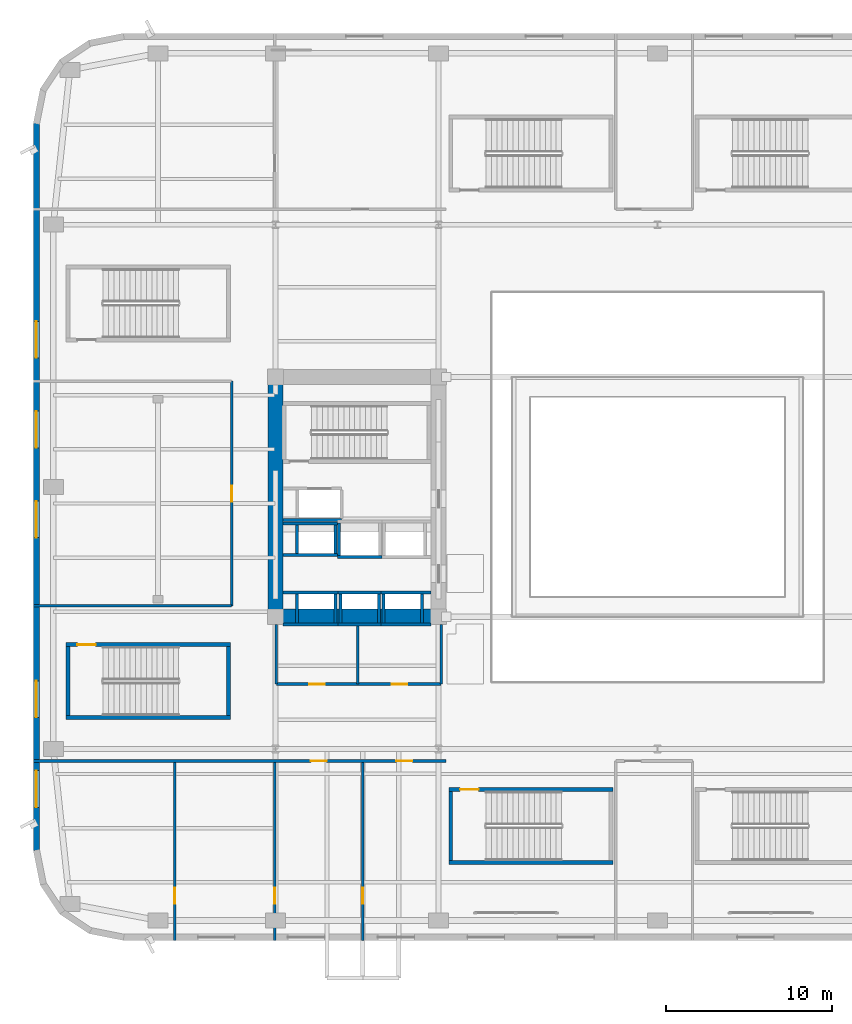
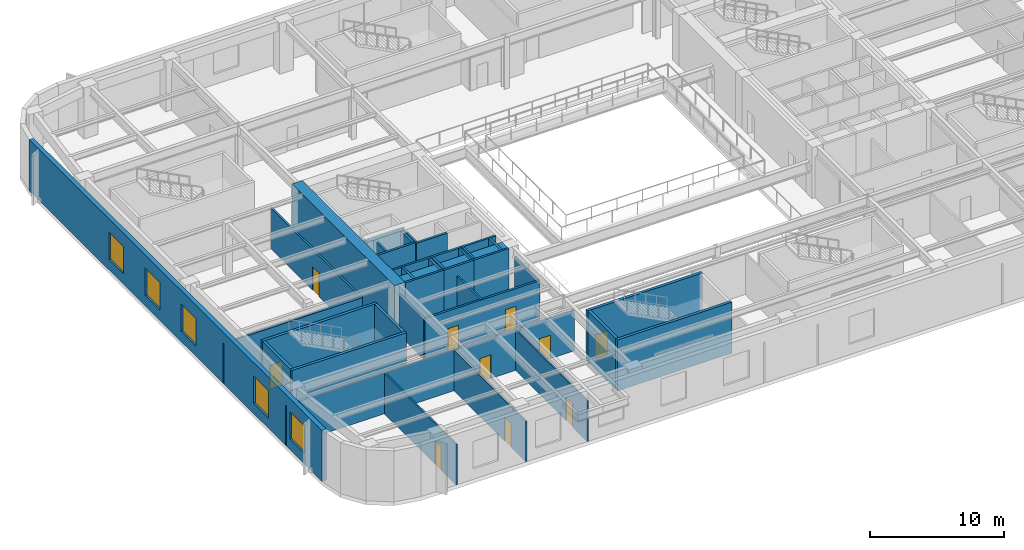
# One storey, part 7 of 24: 39 walls, 10 doors, 5 windows, 15 openings.
"""IFC4 building model written with IfcOpenShell, lengths in metres."""

from ifc_helpers import new_model, si_unit, direction, frame, frame_2d, origin, place, context, subcontext, project, spatial, rectangle, extrude, material, layer, layer_set, type_object, element, fill, save


model = new_model("IFC4")

# Units and contexts
model_context = context("Model", 3, precision=1e-05, world=origin(), true_north=direction((0.0, 1.0)))
body_context = subcontext(model_context, "Body", "Model", "MODEL_VIEW")
ifc_project = project(units=[si_unit("LENGTHUNIT", "METRE"), si_unit("AREAUNIT", "SQUARE_METRE"), si_unit("VOLUMEUNIT", "CUBIC_METRE"), si_unit("PLANEANGLEUNIT", "RADIAN"), si_unit("MASSUNIT", "GRAM", prefix="KILO")], contexts=[model_context])

# Site, building, storey
site_placement = place(None, origin())
site = spatial("IfcSite", under=ifc_project, at=site_placement, CompositionType="ELEMENT")
building_placement = place(site_placement, origin())
building = spatial("IfcBuilding", under=site, at=building_placement, Name="Kolvaren Arena Tower", CompositionType="ELEMENT")
storey_placement = place(building_placement, frame((0.0, 0.0, 23.0)))
storey = spatial("IfcBuildingStorey", under=building, at=storey_placement, Name="L04", CompositionType="ELEMENT", Elevation=23.0)

# Wall, opening, door
ifc_material_1 = material(Name="Gypsum board acoustic assembly", Category="gypsum")
ifc_layer_1 = layer(ifc_material_1, 0.159912109375)
ifc_layer_set_1 = layer_set([ifc_layer_1], Name="Gypsum board acoustic assembly")
wall_type_1 = type_object("IfcWallType", Name="CORR-160", PredefinedType="PARTITIONING", material=ifc_layer_set_1)
wall_1_placement = place(storey_placement, frame((11.919921875, 20.10009765625, 0.0), z_axis=(0.0, 0.0, 1.0), x_axis=(0.0, 1.0, 0.0)))
wall_1 = element("IfcWall", 1, at=wall_1_placement, inside=storey, type_object=wall_type_1, Name="Interior Partition Wall (L04)", PredefinedType="PARTITIONING", context=body_context, shape_type="SweptSolid", body=[
    extrude(rectangle(XDim=13.5, YDim=0.159912109375, at=frame_2d((6.75, 0.0))), origin(), (0.0, 0.0, 1.0), 3.7099609375),
])
opening_1_placement = place(wall_1_placement, frame((6.27001953125, 0.0, 0.0)))
opening_1 = element("IfcOpeningElement", 2, at=opening_1_placement, cuts=wall_1, Name="Opening D05", PredefinedType="OPENING", context=body_context, shape_type="SweptSolid", body=[
    extrude(rectangle(XDim=0.949951171875, YDim=2.14990234375, at=frame_2d((0.47509765625, 1.074951171875))), frame((0.0, 0.08984375, 0.0), z_axis=(0.0, -1.0, 0.0), x_axis=(1.0, 0.0, 0.0)), (0.0, 0.0, 1.0), 0.179931640625),
])
ifc_material_2 = material(Name="Solid-core oak acoustic office door", Category="wood")
door_type_1 = type_object("IfcDoorType", Name="DOOR-OF-095", OperationType="NOTDEFINED", PredefinedType="DOOR", material=ifc_material_2)
door_1_placement = place(opening_1_placement, origin())
door_1 = element("IfcDoor", 3, at=door_1_placement, inside=storey, type_object=door_type_1, Name="Grand Banquet Ballroom Door (L04)", OperationType="SINGLE_SWING_LEFT", OverallHeight=2.14990234375, OverallWidth=0.949951171875, PredefinedType="DOOR", context=body_context, shape_type="SweptSolid", body=[
    extrude(rectangle(XDim=0.949951171875, YDim=2.14990234375, at=frame_2d((0.47509765625, 1.074951171875))), frame((0.0, 0.02490234375, 0.0), z_axis=(0.0, -1.0, 0.0), x_axis=(1.0, 0.0, 0.0)), (0.0, 0.0, 1.0), 0.050048828125),
])
fill(opening_1, door_1)

# Wall
wall_2_placement = place(storey_placement, frame((0.0, 20.10009765625, 0.0), z_axis=(0.0, 0.0, 1.0), x_axis=(1.0, 0.0, 0.0)))
element("IfcWall", 4, at=wall_2_placement, inside=storey, type_object=wall_type_1, Name="Interior Partition Wall (L04)", PredefinedType="PARTITIONING", context=body_context, shape_type="SweptSolid", body=[
    extrude(rectangle(XDim=11.919921875, YDim=0.159912109375, at=frame_2d((5.9599609375, 0.0))), origin(), (0.0, 0.0, 1.0), 3.7099609375),
])

# Wall, openings, doors
wall_3_placement = place(storey_placement, frame((0.0, 10.780029296875, 0.0), z_axis=(0.0, 0.0, 1.0), x_axis=(1.0, 0.0, 0.0)))
wall_3 = element("IfcWall", 5, at=wall_3_placement, inside=storey, type_object=wall_type_1, Name="Interior Partition Wall (L04)", PredefinedType="PARTITIONING", context=body_context, shape_type="SweptSolid", body=[
    extrude(rectangle(XDim=24.800048828125, YDim=0.159912109375, at=frame_2d((12.39990234375, 0.0))), origin(), (0.0, 0.0, 1.0), 3.7099609375),
])
opening_2_placement = place(wall_3_placement, frame((16.669921875, 0.0, 0.0)))
opening_2 = element("IfcOpeningElement", 6, at=opening_2_placement, cuts=wall_3, Name="Opening D05", PredefinedType="OPENING", context=body_context, shape_type="SweptSolid", body=[
    extrude(rectangle(XDim=0.949951171875, YDim=2.14990234375, at=frame_2d((0.47509765625, 1.074951171875))), frame((0.0, 0.08984375, 0.0), z_axis=(0.0, -1.0, 0.0), x_axis=(1.0, 0.0, 0.0)), (0.0, 0.0, 1.0), 0.179931640625),
])
opening_3_placement = place(wall_3_placement, frame((21.820068359375, 0.0, 0.0)))
opening_3 = element("IfcOpeningElement", 7, at=opening_3_placement, cuts=wall_3, Name="Opening D05", PredefinedType="OPENING", context=body_context, shape_type="SweptSolid", body=[
    extrude(rectangle(XDim=0.949951171875, YDim=2.14990234375, at=frame_2d((0.47509765625, 1.074951171875))), frame((0.0, 0.08984375, 0.0), z_axis=(0.0, -1.0, 0.0), x_axis=(1.0, 0.0, 0.0)), (0.0, 0.0, 1.0), 0.179931640625),
])
door_2_placement = place(opening_2_placement, origin())
door_2 = element("IfcDoor", 8, at=door_2_placement, inside=storey, type_object=door_type_1, Name="Arena Retail Pavilion Door (L04)", OperationType="SINGLE_SWING_LEFT", OverallHeight=2.14990234375, OverallWidth=0.949951171875, PredefinedType="DOOR", context=body_context, shape_type="SweptSolid", body=[
    extrude(rectangle(XDim=0.949951171875, YDim=2.14990234375, at=frame_2d((0.47509765625, 1.074951171875))), frame((0.0, 0.02490234375, 0.0), z_axis=(0.0, -1.0, 0.0), x_axis=(1.0, 0.0, 0.0)), (0.0, 0.0, 1.0), 0.050048828125),
])
fill(opening_2, door_2)
door_3_placement = place(opening_3_placement, origin())
door_3 = element("IfcDoor", 9, at=door_3_placement, inside=storey, type_object=door_type_1, Name="Guest Services Studio Door (L04)", OperationType="SINGLE_SWING_RIGHT", OverallHeight=2.14990234375, OverallWidth=0.949951171875, PredefinedType="DOOR", context=body_context, shape_type="SweptSolid", body=[
    extrude(rectangle(XDim=0.949951171875, YDim=2.14990234375, at=frame_2d((0.47509765625, 1.074951171875))), frame((0.0, 0.02490234375, 0.0), z_axis=(0.0, -1.0, 0.0), x_axis=(1.0, 0.0, 0.0)), (0.0, 0.0, 1.0), 0.050048828125),
])
fill(opening_3, door_3)

# Walls
ifc_material_3 = material(Name="Concrete 80 MPa", Category="concrete")
ifc_layer_2 = layer(ifc_material_3, 0.89990234375)
ifc_layer_set_2 = layer_set([ifc_layer_2], Name="Concrete 80 MPa")
wall_type_2 = type_object("IfcWallType", Name="CWALL-900", PredefinedType="SHEAR", material=ifc_layer_set_2)
wall_4_placement = place(storey_placement, frame((14.550048828125, 19.0, -0.35009765625), z_axis=(0.0, 0.0, 1.0), x_axis=(0.0, 1.0, 0.0)))
element("IfcWall", 10, at=wall_4_placement, inside=storey, type_object=wall_type_2, Name="Core Shear Wall WC-WEST (L04)", PredefinedType="SHEAR", context=body_context, shape_type="SweptSolid", body=[
    extrude(rectangle(XDim=15.300048828125, YDim=0.89990234375, at=frame_2d((7.64990234375, 0.0))), origin(), (0.0, 0.0, 1.0), 5.0),
])
wall_5_placement = place(storey_placement, frame((15.0, 19.449951171875, -0.35009765625), z_axis=(0.0, 0.0, 1.0), x_axis=(1.0, 0.0, 0.0)))
element("IfcWall", 11, at=wall_5_placement, inside=storey, type_object=wall_type_2, Name="Core Shear Wall WC-SOUTH (L04)", PredefinedType="SHEAR", context=body_context, shape_type="SweptSolid", body=[
    extrude(rectangle(XDim=8.89990234375, YDim=0.89990234375, at=frame_2d((4.449951171875, 0.0))), origin(), (0.0, 0.0, 1.0), 5.0),
])

# Wall, openings, windows
ifc_material_4 = material(Name="Precast concrete C50/60", Category="concrete")
ifc_layer_3 = layer(ifc_material_4, 0.3798828125)
ifc_layer_set_3 = layer_set([ifc_layer_3], Name="Precast concrete C50/60")
wall_type_3 = type_object("IfcWallType", Name="EXT-ARENA", PredefinedType="SOLIDWALL", material=ifc_layer_set_3)
wall_6_placement = place(storey_placement, frame((0.18994140625, 5.39990234375, 0.0), z_axis=(0.0, 0.0, 1.0), x_axis=(0.0, 1.0, 0.0)))
wall_6 = element("IfcWall", 12, at=wall_6_placement, inside=storey, type_object=wall_type_3, Name="Exterior Precast Masonry-Frame Wall (L04)", PredefinedType="SOLIDWALL", context=body_context, shape_type="SweptSolid", body=[
    extrude(rectangle(XDim=43.7001953125, YDim=0.3798828125, at=frame_2d((21.85009765625, 0.0))), origin(), (0.0, 0.0, 1.0), 4.64990234375),
])
opening_4_placement = place(wall_6_placement, frame((2.60009765625, 0.0, 0.949951171875)))
opening_4 = element("IfcOpeningElement", 13, at=opening_4_placement, cuts=wall_6, Name="Opening W07", PredefinedType="OPENING", context=body_context, shape_type="SweptSolid", body=[
    extrude(rectangle(XDim=2.199951171875, YDim=2.5, at=frame_2d((1.10009765625, 1.25))), frame((0.0, 0.199951171875, 0.0), z_axis=(0.0, -1.0, 0.0), x_axis=(1.0, 0.0, 0.0)), (0.0, 0.0, 1.0), 0.39990234375),
])
opening_5_placement = place(wall_6_placement, frame((8.0, 0.0, 0.949951171875)))
opening_5 = element("IfcOpeningElement", 14, at=opening_5_placement, cuts=wall_6, Name="Opening W07", PredefinedType="OPENING", context=body_context, shape_type="SweptSolid", body=[
    extrude(rectangle(XDim=2.199951171875, YDim=2.5, at=frame_2d((1.10009765625, 1.25))), frame((0.0, 0.199951171875, 0.0), z_axis=(0.0, -1.0, 0.0), x_axis=(1.0, 0.0, 0.0)), (0.0, 0.0, 1.0), 0.39990234375),
])
opening_6_placement = place(wall_6_placement, frame((18.800048828125, 0.0, 0.949951171875)))
opening_6 = element("IfcOpeningElement", 15, at=opening_6_placement, cuts=wall_6, Name="Opening W07", PredefinedType="OPENING", context=body_context, shape_type="SweptSolid", body=[
    extrude(rectangle(XDim=2.199951171875, YDim=2.5, at=frame_2d((1.10009765625, 1.25))), frame((0.0, 0.199951171875, 0.0), z_axis=(0.0, -1.0, 0.0), x_axis=(1.0, 0.0, 0.0)), (0.0, 0.0, 1.0), 0.39990234375),
])
opening_7_placement = place(wall_6_placement, frame((24.199951171875, 0.0, 0.949951171875)))
opening_7 = element("IfcOpeningElement", 16, at=opening_7_placement, cuts=wall_6, Name="Opening W07", PredefinedType="OPENING", context=body_context, shape_type="SweptSolid", body=[
    extrude(rectangle(XDim=2.199951171875, YDim=2.5, at=frame_2d((1.10009765625, 1.25))), frame((0.0, 0.199951171875, 0.0), z_axis=(0.0, -1.0, 0.0), x_axis=(1.0, 0.0, 0.0)), (0.0, 0.0, 1.0), 0.39990234375),
])
opening_8_placement = place(wall_6_placement, frame((29.60009765625, 0.0, 0.949951171875)))
opening_8 = element("IfcOpeningElement", 17, at=opening_8_placement, cuts=wall_6, Name="Opening W07", PredefinedType="OPENING", context=body_context, shape_type="SweptSolid", body=[
    extrude(rectangle(XDim=2.199951171875, YDim=2.5, at=frame_2d((1.10009765625, 1.25))), frame((0.0, 0.199951171875, 0.0), z_axis=(0.0, -1.0, 0.0), x_axis=(1.0, 0.0, 0.0)), (0.0, 0.0, 1.0), 0.39990234375),
])
ifc_material_5 = material(Name="Triple-glazed arena concourse window", Category="glass")
window_type = type_object("IfcWindowType", Name="WIN-POD-A", PartitioningType="DOUBLE_PANEL_VERTICAL", PredefinedType="WINDOW", material=ifc_material_5)
window_1_placement = place(opening_4_placement, origin())
window_1 = element("IfcWindow", 18, at=window_1_placement, inside=storey, type_object=window_type, Name="Punched Precast-Pier Window (L04)", OverallHeight=2.5, OverallWidth=2.199951171875, PartitioningType="DOUBLE_PANEL_VERTICAL", PredefinedType="WINDOW", context=body_context, shape_type="SweptSolid", body=[
    extrude(rectangle(XDim=2.199951171875, YDim=2.5, at=frame_2d((1.10009765625, 1.25))), frame((0.0, 0.030029296875, 0.0), z_axis=(0.0, -1.0, 0.0), x_axis=(1.0, 0.0, 0.0)), (0.0, 0.0, 1.0), 0.06005859375),
])
fill(opening_4, window_1)
window_2_placement = place(opening_5_placement, origin())
window_2 = element("IfcWindow", 19, at=window_2_placement, inside=storey, type_object=window_type, Name="Punched Precast-Pier Window (L04)", OverallHeight=2.5, OverallWidth=2.199951171875, PartitioningType="DOUBLE_PANEL_VERTICAL", PredefinedType="WINDOW", context=body_context, shape_type="SweptSolid", body=[
    extrude(rectangle(XDim=2.199951171875, YDim=2.5, at=frame_2d((1.10009765625, 1.25))), frame((0.0, 0.030029296875, 0.0), z_axis=(0.0, -1.0, 0.0), x_axis=(1.0, 0.0, 0.0)), (0.0, 0.0, 1.0), 0.06005859375),
])
fill(opening_5, window_2)
window_3_placement = place(opening_6_placement, origin())
window_3 = element("IfcWindow", 20, at=window_3_placement, inside=storey, type_object=window_type, Name="Punched Precast-Pier Window (L04)", OverallHeight=2.5, OverallWidth=2.199951171875, PartitioningType="DOUBLE_PANEL_VERTICAL", PredefinedType="WINDOW", context=body_context, shape_type="SweptSolid", body=[
    extrude(rectangle(XDim=2.199951171875, YDim=2.5, at=frame_2d((1.10009765625, 1.25))), frame((0.0, 0.030029296875, 0.0), z_axis=(0.0, -1.0, 0.0), x_axis=(1.0, 0.0, 0.0)), (0.0, 0.0, 1.0), 0.06005859375),
])
fill(opening_6, window_3)
window_4_placement = place(opening_7_placement, origin())
window_4 = element("IfcWindow", 21, at=window_4_placement, inside=storey, type_object=window_type, Name="Punched Precast-Pier Window (L04)", OverallHeight=2.5, OverallWidth=2.199951171875, PartitioningType="DOUBLE_PANEL_VERTICAL", PredefinedType="WINDOW", context=body_context, shape_type="SweptSolid", body=[
    extrude(rectangle(XDim=2.199951171875, YDim=2.5, at=frame_2d((1.10009765625, 1.25))), frame((0.0, 0.030029296875, 0.0), z_axis=(0.0, -1.0, 0.0), x_axis=(1.0, 0.0, 0.0)), (0.0, 0.0, 1.0), 0.06005859375),
])
fill(opening_7, window_4)
window_5_placement = place(opening_8_placement, origin())
window_5 = element("IfcWindow", 22, at=window_5_placement, inside=storey, type_object=window_type, Name="Punched Precast-Pier Window (L04)", OverallHeight=2.5, OverallWidth=2.199951171875, PartitioningType="DOUBLE_PANEL_VERTICAL", PredefinedType="WINDOW", context=body_context, shape_type="SweptSolid", body=[
    extrude(rectangle(XDim=2.199951171875, YDim=2.5, at=frame_2d((1.10009765625, 1.25))), frame((0.0, 0.030029296875, 0.0), z_axis=(0.0, -1.0, 0.0), x_axis=(1.0, 0.0, 0.0)), (0.0, 0.0, 1.0), 0.06005859375),
])
fill(opening_8, window_5)

# Wall, opening, door
ifc_material_6 = material(Name="Gypsum board partition assembly", Category="gypsum")
ifc_layer_4 = layer(ifc_material_6, 0.135009765625)
ifc_layer_set_4 = layer_set([ifc_layer_4], Name="Gypsum board partition assembly")
wall_type_4 = type_object("IfcWallType", Name="PART-135", PredefinedType="PARTITIONING", material=ifc_layer_set_4)
wall_7_placement = place(storey_placement, frame((8.5, 0.0, 0.0), z_axis=(0.0, 0.0, 1.0), x_axis=(0.0, 1.0, 0.0)))
wall_7 = element("IfcWall", 23, at=wall_7_placement, inside=storey, type_object=wall_type_4, Name="Interior Partition Wall (L04)", PredefinedType="PARTITIONING", context=body_context, shape_type="SweptSolid", body=[
    extrude(rectangle(XDim=10.68994140625, YDim=0.135009765625, at=frame_2d((5.344970703125, 0.0))), origin(), (0.0, 0.0, 1.0), 3.7099609375),
])
opening_9_placement = place(wall_7_placement, frame((2.199951171875, 0.0, 0.0)))
opening_9 = element("IfcOpeningElement", 24, at=opening_9_placement, cuts=wall_7, Name="Opening D05", PredefinedType="OPENING", context=body_context, shape_type="SweptSolid", body=[
    extrude(rectangle(XDim=0.949951171875, YDim=2.14990234375, at=frame_2d((0.47509765625, 1.074951171875))), frame((0.0, 0.077392578125, 0.0), z_axis=(0.0, -1.0, 0.0), x_axis=(1.0, 0.0, 0.0)), (0.0, 0.0, 1.0), 0.155029296875),
])
door_4_placement = place(opening_9_placement, origin())
door_4 = element("IfcDoor", 25, at=door_4_placement, inside=storey, type_object=door_type_1, Name="Breakout Pantry and Kitchen Connecting Door (L04)", OperationType="SINGLE_SWING_LEFT", OverallHeight=2.14990234375, OverallWidth=0.949951171875, PredefinedType="DOOR", context=body_context, shape_type="SweptSolid", body=[
    extrude(rectangle(XDim=0.949951171875, YDim=2.14990234375, at=frame_2d((0.47509765625, 1.074951171875))), frame((0.0, 0.02490234375, 0.0), z_axis=(0.0, -1.0, 0.0), x_axis=(1.0, 0.0, 0.0)), (0.0, 0.0, 1.0), 0.050048828125),
])
fill(opening_9, door_4)

wall_8_placement = place(storey_placement, frame((14.5, 0.0, 0.0), z_axis=(0.0, 0.0, 1.0), x_axis=(0.0, 1.0, 0.0)))
wall_8 = element("IfcWall", 26, at=wall_8_placement, inside=storey, type_object=wall_type_4, Name="Interior Partition Wall (L04)", PredefinedType="PARTITIONING", context=body_context, shape_type="SweptSolid", body=[
    extrude(rectangle(XDim=10.68994140625, YDim=0.135009765625, at=frame_2d((5.344970703125, 0.0))), origin(), (0.0, 0.0, 1.0), 3.7099609375),
])
opening_10_placement = place(wall_8_placement, frame((2.199951171875, 0.0, 0.0)))
opening_10 = element("IfcOpeningElement", 27, at=opening_10_placement, cuts=wall_8, Name="Opening D05", PredefinedType="OPENING", context=body_context, shape_type="SweptSolid", body=[
    extrude(rectangle(XDim=0.949951171875, YDim=2.14990234375, at=frame_2d((0.47509765625, 1.074951171875))), frame((0.0, 0.077392578125, 0.0), z_axis=(0.0, -1.0, 0.0), x_axis=(1.0, 0.0, 0.0)), (0.0, 0.0, 1.0), 0.155029296875),
])
door_5_placement = place(opening_10_placement, origin())
door_5 = element("IfcDoor", 28, at=door_5_placement, inside=storey, type_object=door_type_1, Name="South-West Concession Hall Connecting Door (L04)", OperationType="SINGLE_SWING_LEFT", OverallHeight=2.14990234375, OverallWidth=0.949951171875, PredefinedType="DOOR", context=body_context, shape_type="SweptSolid", body=[
    extrude(rectangle(XDim=0.949951171875, YDim=2.14990234375, at=frame_2d((0.47509765625, 1.074951171875))), frame((0.0, 0.02490234375, 0.0), z_axis=(0.0, -1.0, 0.0), x_axis=(1.0, 0.0, 0.0)), (0.0, 0.0, 1.0), 0.050048828125),
])
fill(opening_10, door_5)

wall_9_placement = place(storey_placement, frame((19.800048828125, 0.0, 0.0), z_axis=(0.0, 0.0, 1.0), x_axis=(0.0, 1.0, 0.0)))
wall_9 = element("IfcWall", 29, at=wall_9_placement, inside=storey, type_object=wall_type_4, Name="Interior Partition Wall (L04)", PredefinedType="PARTITIONING", context=body_context, shape_type="SweptSolid", body=[
    extrude(rectangle(XDim=10.68994140625, YDim=0.135009765625, at=frame_2d((5.344970703125, 0.0))), origin(), (0.0, 0.0, 1.0), 3.7099609375),
])
opening_11_placement = place(wall_9_placement, frame((2.199951171875, 0.0, 0.0)))
opening_11 = element("IfcOpeningElement", 30, at=opening_11_placement, cuts=wall_9, Name="Opening D05", PredefinedType="OPENING", context=body_context, shape_type="SweptSolid", body=[
    extrude(rectangle(XDim=0.949951171875, YDim=2.14990234375, at=frame_2d((0.47509765625, 1.074951171875))), frame((0.0, 0.077392578125, 0.0), z_axis=(0.0, -1.0, 0.0), x_axis=(1.0, 0.0, 0.0)), (0.0, 0.0, 1.0), 0.155029296875),
])
door_6_placement = place(opening_11_placement, origin())
door_6 = element("IfcDoor", 31, at=door_6_placement, inside=storey, type_object=door_type_1, Name="Arena Retail Pavilion Connecting Door (L04)", OperationType="SINGLE_SWING_LEFT", OverallHeight=2.14990234375, OverallWidth=0.949951171875, PredefinedType="DOOR", context=body_context, shape_type="SweptSolid", body=[
    extrude(rectangle(XDim=0.949951171875, YDim=2.14990234375, at=frame_2d((0.47509765625, 1.074951171875))), frame((0.0, 0.02490234375, 0.0), z_axis=(0.0, -1.0, 0.0), x_axis=(1.0, 0.0, 0.0)), (0.0, 0.0, 1.0), 0.050048828125),
])
fill(opening_11, door_6)

ifc_material_7 = material(Name="Concrete 45 MPa", Category="concrete")
ifc_layer_5 = layer(ifc_material_7, 0.25)
ifc_layer_set_5 = layer_set([ifc_layer_5], Name="Concrete 45 MPa")
wall_type_5 = type_object("IfcWallType", Name="SHAFT-250", PredefinedType="SOLIDWALL", material=ifc_layer_set_5)
wall_10_placement = place(storey_placement, frame((1.9599609375, 17.77001953125, 0.0), z_axis=(0.0, 0.0, 1.0), x_axis=(1.0, 0.0, 0.0)))
wall_10 = element("IfcWall", 32, at=wall_10_placement, inside=storey, type_object=wall_type_5, Name="Stair ST-A1 Rated Enclosure Wall (L04)", PredefinedType="SOLIDWALL", context=body_context, shape_type="SweptSolid", body=[
    extrude(rectangle(XDim=9.880126953125, YDim=0.239990234375, at=frame_2d((4.93994140625, 0.0))), origin(), (0.0, 0.0, 1.0), 4.64990234375),
])
opening_12_placement = place(wall_10_placement, frame((0.68994140625, 0.0, 0.0)))
opening_12 = element("IfcOpeningElement", 33, at=opening_12_placement, cuts=wall_10, Name="Opening D03", PredefinedType="OPENING", context=body_context, shape_type="SweptSolid", body=[
    extrude(rectangle(XDim=1.10009765625, YDim=2.14990234375, at=frame_2d((0.550048828125, 1.074951171875))), frame((0.0, 0.1298828125, 0.0), z_axis=(0.0, -1.0, 0.0), x_axis=(1.0, 0.0, 0.0)), (0.0, 0.0, 1.0), 0.260009765625),
])
ifc_material_8 = material(Name="Fire-rated steel exit stair door", Category="steel")
door_type_2 = type_object("IfcDoorType", Name="DOOR-ST-110", OperationType="NOTDEFINED", PredefinedType="DOOR", material=ifc_material_8)
door_7_placement = place(opening_12_placement, origin())
door_7 = element("IfcDoor", 34, at=door_7_placement, inside=storey, type_object=door_type_2, Name="Exit Stair ST-A1 Fire Door (L04)", OperationType="SINGLE_SWING_LEFT", OverallHeight=2.14990234375, OverallWidth=1.10009765625, PredefinedType="DOOR", context=body_context, shape_type="SweptSolid", body=[
    extrude(rectangle(XDim=1.10009765625, YDim=2.14990234375, at=frame_2d((0.550048828125, 1.074951171875))), frame((0.0, 0.02490234375, 0.0), z_axis=(0.0, -1.0, 0.0), x_axis=(1.0, 0.0, 0.0)), (0.0, 0.0, 1.0), 0.050048828125),
])
fill(opening_12, door_7)

# Walls
wall_11_placement = place(storey_placement, frame((1.9599609375, 13.3798828125, 0.0), z_axis=(0.0, 0.0, 1.0), x_axis=(1.0, 0.0, 0.0)))
element("IfcWall", 35, at=wall_11_placement, inside=storey, type_object=wall_type_5, Name="Stair ST-A1 Rear Shaft Wall (L04)", PredefinedType="SOLIDWALL", context=body_context, shape_type="SweptSolid", body=[
    extrude(rectangle(XDim=9.880126953125, YDim=0.239990234375, at=frame_2d((4.93994140625, 0.0))), origin(), (0.0, 0.0, 1.0), 4.64990234375),
])
for number, where, z_axis, x_axis, name in (
    (36, (2.080078125, 13.5, 0.0), (0.0, 0.0, 1.0), (0.0, 1.0, 0.0), "Stair ST-A1 West Shaft Wall (L04)"),
    (37, (11.719970703125, 13.5, 0.0), (0.0, 0.0, 1.0), (0.0, 1.0, 0.0), "Stair ST-A1 East Shaft Wall (L04)"),
):
    element("IfcWall", number, at=place(storey_placement, frame(where, z_axis=z_axis, x_axis=x_axis)), inside=storey, type_object=wall_type_5, Name=name, PredefinedType="SOLIDWALL", context=body_context, shape_type="SweptSolid", body=[
        extrude(rectangle(XDim=4.14990234375, YDim=0.239990234375, at=frame_2d((2.074951171875, 0.0))), origin(), (0.0, 0.0, 1.0), 4.64990234375),
    ])

# Wall, opening, door
wall_12_placement = place(storey_placement, frame((24.9599609375, 9.070068359375, 0.0), z_axis=(0.0, 0.0, 1.0), x_axis=(1.0, 0.0, 0.0)))
wall_12 = element("IfcWall", 38, at=wall_12_placement, inside=storey, type_object=wall_type_5, Name="Stair ST-A2 Rated Enclosure Wall (L04)", PredefinedType="SOLIDWALL", context=body_context, shape_type="SweptSolid", body=[
    extrude(rectangle(XDim=9.880126953125, YDim=0.239990234375, at=frame_2d((4.93994140625, 0.0))), origin(), (0.0, 0.0, 1.0), 4.64990234375),
])
opening_13_placement = place(wall_12_placement, frame((0.68994140625, 0.0, 0.0)))
opening_13 = element("IfcOpeningElement", 39, at=opening_13_placement, cuts=wall_12, Name="Opening D03", PredefinedType="OPENING", context=body_context, shape_type="SweptSolid", body=[
    extrude(rectangle(XDim=1.10009765625, YDim=2.14990234375, at=frame_2d((0.550048828125, 1.074951171875))), frame((0.0, 0.1298828125, 0.0), z_axis=(0.0, -1.0, 0.0), x_axis=(1.0, 0.0, 0.0)), (0.0, 0.0, 1.0), 0.260009765625),
])
door_8_placement = place(opening_13_placement, origin())
door_8 = element("IfcDoor", 40, at=door_8_placement, inside=storey, type_object=door_type_2, Name="Exit Stair ST-A2 Fire Door (L04)", OperationType="SINGLE_SWING_LEFT", OverallHeight=2.14990234375, OverallWidth=1.10009765625, PredefinedType="DOOR", context=body_context, shape_type="SweptSolid", body=[
    extrude(rectangle(XDim=1.10009765625, YDim=2.14990234375, at=frame_2d((0.550048828125, 1.074951171875))), frame((0.0, 0.02490234375, 0.0), z_axis=(0.0, -1.0, 0.0), x_axis=(1.0, 0.0, 0.0)), (0.0, 0.0, 1.0), 0.050048828125),
])
fill(opening_13, door_8)

# Walls
wall_13_placement = place(storey_placement, frame((24.9599609375, 4.679931640625, 0.0), z_axis=(0.0, 0.0, 1.0), x_axis=(1.0, 0.0, 0.0)))
element("IfcWall", 41, at=wall_13_placement, inside=storey, type_object=wall_type_5, Name="Stair ST-A2 Rear Shaft Wall (L04)", PredefinedType="SOLIDWALL", context=body_context, shape_type="SweptSolid", body=[
    extrude(rectangle(XDim=9.880126953125, YDim=0.239990234375, at=frame_2d((4.93994140625, 0.0))), origin(), (0.0, 0.0, 1.0), 4.64990234375),
])
wall_14_placement = place(storey_placement, frame((25.080078125, 4.800048828125, 0.0), z_axis=(0.0, 0.0, 1.0), x_axis=(0.0, 1.0, 0.0)))
element("IfcWall", 42, at=wall_14_placement, inside=storey, type_object=wall_type_5, Name="Stair ST-A2 West Shaft Wall (L04)", PredefinedType="SOLIDWALL", context=body_context, shape_type="SweptSolid", body=[
    extrude(rectangle(XDim=4.14990234375, YDim=0.239990234375, at=frame_2d((2.074951171875, 0.0))), origin(), (0.0, 0.0, 1.0), 4.64990234375),
])
for number, where, z_axis, x_axis, name in (
    (43, (15.0, 20.905029296875, 0.0), (0.0, 0.0, 1.0), (1.0, 0.0, 0.0), "Core Shaft Wall (L04)"),
    (44, (15.0, 18.9951171875, 0.0), (0.0, 0.0, 1.0), (1.0, 0.0, 0.0), "Core Shaft Wall (L04)"),
):
    element("IfcWall", number, at=place(storey_placement, frame(where, z_axis=z_axis, x_axis=x_axis)), inside=storey, type_object=wall_type_5, Name=name, PredefinedType="SOLIDWALL", context=body_context, shape_type="SweptSolid", body=[
        extrude(rectangle(XDim=3.300048828125, YDim=0.179931640625, at=frame_2d((1.64990234375, 0.0))), origin(), (0.0, 0.0, 1.0), 4.64990234375),
    ])
for number, where, z_axis, x_axis, name in (
    (45, (15.844970703125, 19.0849609375, 0.0), (0.0, 0.0, 1.0), (0.0, 1.0, 0.0), "Core Shaft Wall (L04)"),
    (46, (18.155029296875, 19.0849609375, 0.0), (0.0, 0.0, 1.0), (0.0, 1.0, 0.0), "Core Shaft Wall (L04)"),
):
    element("IfcWall", number, at=place(storey_placement, frame(where, z_axis=z_axis, x_axis=x_axis)), inside=storey, type_object=wall_type_5, Name=name, PredefinedType="SOLIDWALL", context=body_context, shape_type="SweptSolid", body=[
        extrude(rectangle(XDim=1.72998046875, YDim=0.179931640625, at=frame_2d((0.864990234375, 0.0))), origin(), (0.0, 0.0, 1.0), 4.64990234375),
    ])
for number, where, z_axis, x_axis, name in (
    (47, (18.300048828125, 20.905029296875, 0.0), (0.0, 0.0, 1.0), (1.0, 0.0, 0.0), "Core Shaft Wall (L04)"),
    (48, (18.300048828125, 18.9951171875, 0.0), (0.0, 0.0, 1.0), (1.0, 0.0, 0.0), "Core Shaft Wall (L04)"),
):
    element("IfcWall", number, at=place(storey_placement, frame(where, z_axis=z_axis, x_axis=x_axis)), inside=storey, type_object=wall_type_5, Name=name, PredefinedType="SOLIDWALL", context=body_context, shape_type="SweptSolid", body=[
        extrude(rectangle(XDim=2.599853515625, YDim=0.179931640625, at=frame_2d((1.2998046875, 0.0))), origin(), (0.0, 0.0, 1.0), 4.64990234375),
    ])
for number, where, z_axis, x_axis, name in (
    (49, (18.445068359375, 19.0849609375, 0.0), (0.0, 0.0, 1.0), (0.0, 1.0, 0.0), "Core Shaft Wall (L04)"),
    (50, (20.7548828125, 19.0849609375, 0.0), (0.0, 0.0, 1.0), (0.0, 1.0, 0.0), "Core Shaft Wall (L04)"),
):
    element("IfcWall", number, at=place(storey_placement, frame(where, z_axis=z_axis, x_axis=x_axis)), inside=storey, type_object=wall_type_5, Name=name, PredefinedType="SOLIDWALL", context=body_context, shape_type="SweptSolid", body=[
        extrude(rectangle(XDim=1.72998046875, YDim=0.179931640625, at=frame_2d((0.864990234375, 0.0))), origin(), (0.0, 0.0, 1.0), 4.64990234375),
    ])
for number, where, z_axis, x_axis, name in (
    (51, (20.89990234375, 20.905029296875, 0.0), (0.0, 0.0, 1.0), (1.0, 0.0, 0.0), "Core Shaft Wall (L04)"),
    (52, (20.89990234375, 18.9951171875, 0.0), (0.0, 0.0, 1.0), (1.0, 0.0, 0.0), "Core Shaft Wall (L04)"),
):
    element("IfcWall", number, at=place(storey_placement, frame(where, z_axis=z_axis, x_axis=x_axis)), inside=storey, type_object=wall_type_5, Name=name, PredefinedType="SOLIDWALL", context=body_context, shape_type="SweptSolid", body=[
        extrude(rectangle(XDim=3.0, YDim=0.179931640625, at=frame_2d((1.5, 0.0))), origin(), (0.0, 0.0, 1.0), 4.64990234375),
    ])
for number, where, z_axis, x_axis, name in (
    (53, (21.044921875, 19.0849609375, 0.0), (0.0, 0.0, 1.0), (0.0, 1.0, 0.0), "Core Shaft Wall (L04)"),
    (54, (23.35498046875, 19.0849609375, 0.0), (0.0, 0.0, 1.0), (0.0, 1.0, 0.0), "Core Shaft Wall (L04)"),
):
    element("IfcWall", number, at=place(storey_placement, frame(where, z_axis=z_axis, x_axis=x_axis)), inside=storey, type_object=wall_type_5, Name=name, PredefinedType="SOLIDWALL", context=body_context, shape_type="SweptSolid", body=[
        extrude(rectangle(XDim=1.72998046875, YDim=0.179931640625, at=frame_2d((0.864990234375, 0.0))), origin(), (0.0, 0.0, 1.0), 4.64990234375),
    ])
for number, where, z_axis, x_axis, name in (
    (55, (15.0, 25.054931640625, 0.0), (0.0, 0.0, 1.0), (1.0, 0.0, 0.0), "Core Shaft Wall (L04)"),
    (56, (15.0, 23.14501953125, 0.0), (0.0, 0.0, 1.0), (1.0, 0.0, 0.0), "Core Shaft Wall (L04)"),
):
    element("IfcWall", number, at=place(storey_placement, frame(where, z_axis=z_axis, x_axis=x_axis)), inside=storey, type_object=wall_type_5, Name=name, PredefinedType="SOLIDWALL", context=body_context, shape_type="SweptSolid", body=[
        extrude(rectangle(XDim=3.262451171875, YDim=0.179931640625, at=frame_2d((1.63134765625, 0.0))), origin(), (0.0, 0.0, 1.0), 4.64990234375),
    ])
for number, where, z_axis, x_axis, name in (
    (57, (15.844970703125, 23.235107421875, 0.0), (0.0, 0.0, 1.0), (0.0, 1.0, 0.0), "Core Shaft Wall (L04)"),
    (58, (18.155029296875, 23.235107421875, 0.0), (0.0, 0.0, 1.0), (0.0, 1.0, 0.0), "Core Shaft Wall (L04)"),
):
    element("IfcWall", number, at=place(storey_placement, frame(where, z_axis=z_axis, x_axis=x_axis)), inside=storey, type_object=wall_type_5, Name=name, PredefinedType="SOLIDWALL", context=body_context, shape_type="SweptSolid", body=[
        extrude(rectangle(XDim=1.72998046875, YDim=0.179931640625, at=frame_2d((0.864990234375, 0.0))), origin(), (0.0, 0.0, 1.0), 4.64990234375),
    ])
wall_15_placement = place(storey_placement, frame((18.262451171875, 23.044921875, 0.0), z_axis=(0.0, 0.0, 1.0), x_axis=(1.0, 0.0, 0.0)))
element("IfcWall", 59, at=wall_15_placement, inside=storey, type_object=wall_type_5, Name="Core Shaft Wall (L04)", PredefinedType="SOLIDWALL", context=body_context, shape_type="SweptSolid", body=[
    extrude(rectangle(XDim=2.6875, YDim=0.179931640625, at=frame_2d((1.34375, 0.0))), origin(), (0.0, 0.0, 1.0), 4.64990234375),
])
wall_16_placement = place(storey_placement, frame((18.3701171875, 23.135009765625, 0.0), z_axis=(0.0, 0.0, 1.0), x_axis=(0.0, 1.0, 0.0)))
element("IfcWall", 60, at=wall_16_placement, inside=storey, type_object=wall_type_5, Name="Core Shaft Wall (L04)", PredefinedType="SOLIDWALL", context=body_context, shape_type="SweptSolid", body=[
    extrude(rectangle(XDim=1.929931640625, YDim=0.179931640625, at=frame_2d((0.96484375, 0.0))), origin(), (0.0, 0.0, 1.0), 4.64990234375),
])
wall_17_placement = place(storey_placement, frame((15.0, 25.2451171875, 0.0), z_axis=(0.0, 0.0, 1.0), x_axis=(1.0, 0.0, 0.0)))
element("IfcWall", 61, at=wall_17_placement, inside=storey, type_object=wall_type_5, Name="Core Shaft Wall (L04)", PredefinedType="SOLIDWALL", context=body_context, shape_type="SweptSolid", body=[
    extrude(rectangle(XDim=3.530029296875, YDim=0.179931640625, at=frame_2d((1.76513671875, 0.0))), origin(), (0.0, 0.0, 1.0), 4.64990234375),
])
ifc_material_9 = material(Name="Moisture-resistant gypsum assembly", Category="gypsum")
ifc_layer_6 = layer(ifc_material_9, 0.14990234375)
ifc_layer_set_6 = layer_set([ifc_layer_6], Name="Moisture-resistant gypsum assembly")
wall_type_6 = type_object("IfcWallType", Name="WETW-150", PredefinedType="PARTITIONING", material=ifc_layer_set_6)
wall_18_placement = place(storey_placement, frame((19.5, 15.39990234375, 0.0), z_axis=(0.0, 0.0, 1.0), x_axis=(0.0, 1.0, 0.0)))
element("IfcWall", 62, at=wall_18_placement, inside=storey, type_object=wall_type_6, Name="Interior Partition Wall (L04)", PredefinedType="PARTITIONING", context=body_context, shape_type="SweptSolid", body=[
    extrude(rectangle(XDim=3.580078125, YDim=0.14990234375, at=frame_2d((1.7900390625, 0.0))), origin(), (0.0, 0.0, 1.0), 3.7099609375),
])

# Wall, openings, doors
wall_19_placement = place(storey_placement, frame((14.60009765625, 15.39990234375, 0.0), z_axis=(0.0, 0.0, 1.0), x_axis=(1.0, 0.0, 0.0)))
wall_19 = element("IfcWall", 63, at=wall_19_placement, inside=storey, type_object=wall_type_6, Name="Interior Partition Wall (L04)", PredefinedType="PARTITIONING", context=body_context, shape_type="SweptSolid", body=[
    extrude(rectangle(XDim=9.89990234375, YDim=0.179931640625, at=frame_2d((4.949951171875, 0.0))), origin(), (0.0, 0.0, 1.0), 3.7099609375),
])
opening_14_placement = place(wall_19_placement, frame((1.989990234375, 0.0, 0.0)))
opening_14 = element("IfcOpeningElement", 64, at=opening_14_placement, cuts=wall_19, Name="Opening D07", PredefinedType="OPENING", context=body_context, shape_type="SweptSolid", body=[
    extrude(rectangle(XDim=0.919921875, YDim=2.10009765625, at=frame_2d((0.4599609375, 1.050048828125))), frame((0.0, 0.099853515625, 0.0), z_axis=(0.0, -1.0, 0.0), x_axis=(1.0, 0.0, 0.0)), (0.0, 0.0, 1.0), 0.199951171875),
])
opening_15_placement = place(wall_19_placement, frame((6.93994140625, 0.0, 0.0)))
opening_15 = element("IfcOpeningElement", 65, at=opening_15_placement, cuts=wall_19, Name="Opening D07", PredefinedType="OPENING", context=body_context, shape_type="SweptSolid", body=[
    extrude(rectangle(XDim=0.919921875, YDim=2.10009765625, at=frame_2d((0.4599609375, 1.050048828125))), frame((0.0, 0.099853515625, 0.0), z_axis=(0.0, -1.0, 0.0), x_axis=(1.0, 0.0, 0.0)), (0.0, 0.0, 1.0), 0.199951171875),
])
ifc_material_10 = material(Name="Laminate universal washroom door", Category="wood")
door_type_3 = type_object("IfcDoorType", Name="DOOR-WC-092", OperationType="NOTDEFINED", PredefinedType="DOOR", material=ifc_material_10)
door_9_placement = place(opening_14_placement, origin())
door_9 = element("IfcDoor", 66, at=door_9_placement, inside=storey, type_object=door_type_3, Name="Universal Barrier-Free Washroom Door (L04)", OperationType="SINGLE_SWING_RIGHT", OverallHeight=2.10009765625, OverallWidth=0.919921875, PredefinedType="DOOR", context=body_context, shape_type="SweptSolid", body=[
    extrude(rectangle(XDim=0.919921875, YDim=2.10009765625, at=frame_2d((0.4599609375, 1.050048828125))), frame((0.0, 0.02490234375, 0.0), z_axis=(0.0, -1.0, 0.0), x_axis=(1.0, 0.0, 0.0)), (0.0, 0.0, 1.0), 0.050048828125),
])
fill(opening_14, door_9)
door_10_placement = place(opening_15_placement, origin())
door_10 = element("IfcDoor", 67, at=door_10_placement, inside=storey, type_object=door_type_3, Name="Gender-Neutral Washroom Door (L04)", OperationType="SINGLE_SWING_LEFT", OverallHeight=2.10009765625, OverallWidth=0.919921875, PredefinedType="DOOR", context=body_context, shape_type="SweptSolid", body=[
    extrude(rectangle(XDim=0.919921875, YDim=2.10009765625, at=frame_2d((0.4599609375, 1.050048828125))), frame((0.0, 0.02490234375, 0.0), z_axis=(0.0, -1.0, 0.0), x_axis=(1.0, 0.0, 0.0)), (0.0, 0.0, 1.0), 0.050048828125),
])
fill(opening_15, door_10)

# Walls
for number, where, z_axis, x_axis, name in (
    (68, (14.60009765625, 15.39990234375, 0.0), (0.0, 0.0, 1.0), (0.0, 1.0, 0.0), "Interior Partition Wall (L04)"),
    (69, (24.5, 15.39990234375, 0.0), (0.0, 0.0, 1.0), (0.0, 1.0, 0.0), "Interior Partition Wall (L04)"),
):
    element("IfcWall", number, at=place(storey_placement, frame(where, z_axis=z_axis, x_axis=x_axis)), inside=storey, type_object=wall_type_6, Name=name, PredefinedType="PARTITIONING", context=body_context, shape_type="SweptSolid", body=[
        extrude(rectangle(XDim=3.580078125, YDim=0.14990234375, at=frame_2d((1.7900390625, 0.0))), origin(), (0.0, 0.0, 1.0), 3.7099609375),
    ])

save(model, "model.ifc")
